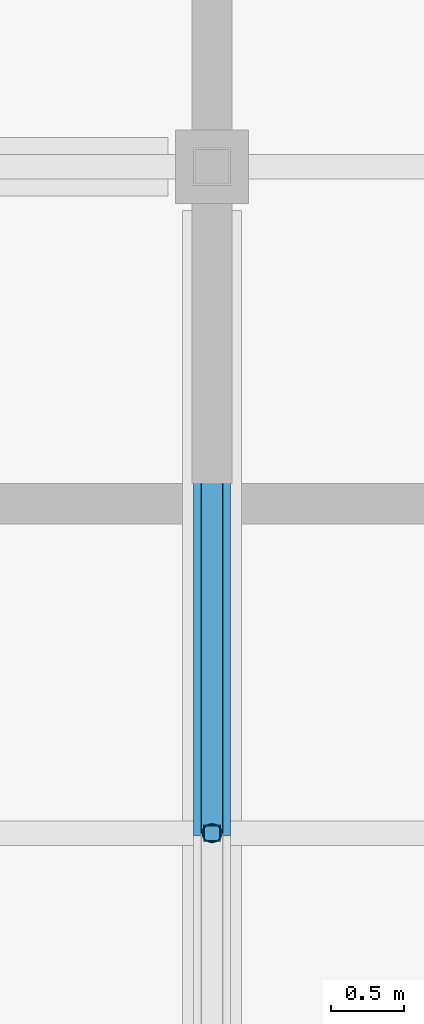
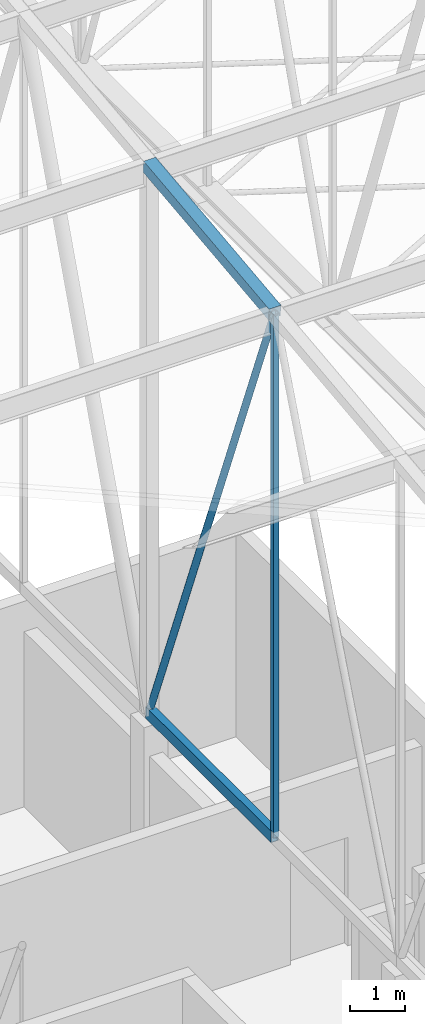
# One storey, part 78 of 500: 4 members.
"""IFC4 building model written with IfcOpenShell, lengths in metres."""

from ifc_helpers import new_model, si_unit, direction, frame, origin, origin_2d, place, context, subcontext, project, spatial, hollow_rectangle, hollow_circle, extrude, material, material_profile, profile_set, type_object, element, save


model = new_model("IFC4")

# Units and contexts
model_context = context("Model", 3, precision=1e-05, world=origin(), true_north=direction((0.0, 1.0)))
body_context = subcontext(model_context, "Body", "Model", "MODEL_VIEW")
ifc_project = project(units=[si_unit("LENGTHUNIT", "METRE"), si_unit("AREAUNIT", "SQUARE_METRE"), si_unit("VOLUMEUNIT", "CUBIC_METRE"), si_unit("PLANEANGLEUNIT", "RADIAN"), si_unit("MASSUNIT", "GRAM", prefix="KILO")], contexts=[model_context])

# Site, building, storey
site_placement = place(None, origin())
site = spatial("IfcSite", under=ifc_project, at=site_placement, CompositionType="ELEMENT")
building_placement = place(site_placement, origin())
building = spatial("IfcBuilding", under=site, at=building_placement, Name="Shirokan Park Arena", CompositionType="ELEMENT")
storey_placement = place(building_placement, frame((0.0, 0.0, 29.1201171875)))
storey = spatial("IfcBuildingStorey", under=building, at=storey_placement, Name="L06", CompositionType="ELEMENT", Elevation=29.1201171875)

# Members
ifc_material = material(Name="Steel ASTM A500 Grade C", Category="steel")
ifc_material_profile_1 = material_profile(ifc_material, hollow_rectangle(XDim=0.152099609375, YDim=0.25390625, WallThickness=0.009521484375, at=origin_2d()), Name="HSS254X152.4X9.5")
ifc_profile_set_1 = profile_set([ifc_material_profile_1], Name="Steel ASTM A500 Grade C")
member_type_1 = type_object("IfcMemberType", Name="Bottom chord HSS254X152.4X9.5", PredefinedType="CHORD", material=ifc_profile_set_1)
member_1_placement = place(storey_placement, frame((36.39990234375, 31.85009765625, 4.677001953125), z_axis=(0.0, 1.0, 0.0), x_axis=(-1.0, 0.0, 0.0)))
element("IfcMember", 1, at=member_1_placement, inside=storey, type_object=member_type_1, Name="Truss T05 bottom chord 10", PredefinedType="CHORD", context=body_context, shape_type="SweptSolid", body=[
    extrude(hollow_rectangle(XDim=0.152099609375, YDim=0.25390625, WallThickness=0.009521484375, at=origin_2d()), origin(), (0.0, 0.0, 1.0), 4.5498046875),
])
ifc_material_profile_2 = material_profile(ifc_material, hollow_rectangle(XDim=0.25390625, YDim=0.25390625, WallThickness=0.009521484375, at=origin_2d()), Name="HSS254X254X9.5")
ifc_profile_set_2 = profile_set([ifc_material_profile_2], Name="Steel ASTM A500 Grade C")
member_type_2 = type_object("IfcMemberType", Name="Top chord HSS254X254X9.5", PredefinedType="CHORD", material=ifc_profile_set_2)
member_2_placement = place(storey_placement, frame((36.39990234375, 31.85009765625, 16.262939453125), z_axis=(0.0, 0.993531641592, 0.11355561261), x_axis=(-1.0, 0.0, 0.0)))
element("IfcMember", 2, at=member_2_placement, inside=storey, type_object=member_type_2, Name="Truss T05 top chord 10", PredefinedType="CHORD", context=body_context, shape_type="SweptSolid", body=[
    extrude(hollow_rectangle(XDim=0.25390625, YDim=0.25390625, WallThickness=0.009521484375, at=origin_2d()), origin(), (0.0, 0.0, 1.0), 4.579345703125),
])
ifc_material_profile_3 = material_profile(ifc_material, hollow_circle(Radius=0.070556640625, WallThickness=0.006591796875, at=origin_2d()), Name="HSS141.3X6.6")
ifc_profile_set_3 = profile_set([ifc_material_profile_3], Name="Steel ASTM A500 Grade C")
member_type_3 = type_object("IfcMemberType", Name="Truss diagonal HSS141.3X6.6", PredefinedType="BRACE", material=ifc_profile_set_3)
member_3_placement = place(storey_placement, frame((36.39990234375, 31.85009765625, 16.262939453125), z_axis=(0.0, 0.365526146051, -0.930801072493), x_axis=(-1.0, 0.0, 0.0)))
element("IfcMember", 3, at=member_3_placement, inside=storey, type_object=member_type_3, Name="Truss T05 diagonal 10", PredefinedType="BRACE", context=body_context, shape_type="SweptSolid", body=[
    extrude(hollow_circle(Radius=0.070556640625, WallThickness=0.006591796875, at=origin_2d()), origin(), (0.0, 0.0, 1.0), 12.447265625),
])
ifc_material_profile_4 = material_profile(ifc_material, hollow_rectangle(XDim=0.114013671875, YDim=0.114013671875, WallThickness=0.00634765625, at=origin_2d()), Name="HSS114.3X114.3X6.4")
ifc_profile_set_4 = profile_set([ifc_material_profile_4], Name="Steel ASTM A500 Grade C")
member_type_4 = type_object("IfcMemberType", Name="Truss post HSS114.3X114.3X6.4", PredefinedType="POST", material=ifc_profile_set_4)
member_4_placement = place(storey_placement, frame((36.39990234375, 31.85009765625, 4.677001953125), z_axis=(0.0, 0.0, 1.0), x_axis=(1.0, 0.0, 0.0)))
element("IfcMember", 4, at=member_4_placement, inside=storey, type_object=member_type_4, Name="Truss T05 post 10", PredefinedType="POST", context=body_context, shape_type="SweptSolid", body=[
    extrude(hollow_rectangle(XDim=0.114013671875, YDim=0.114013671875, WallThickness=0.00634765625, at=origin_2d()), origin(), (0.0, 0.0, 1.0), 11.5859375),
])

save(model, "model.ifc")
